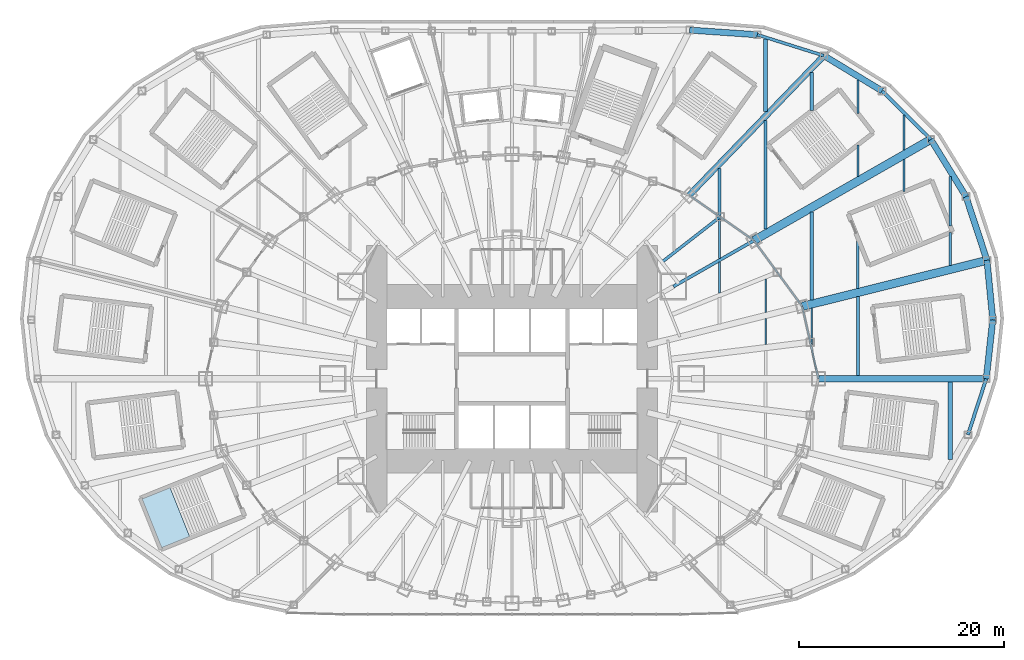
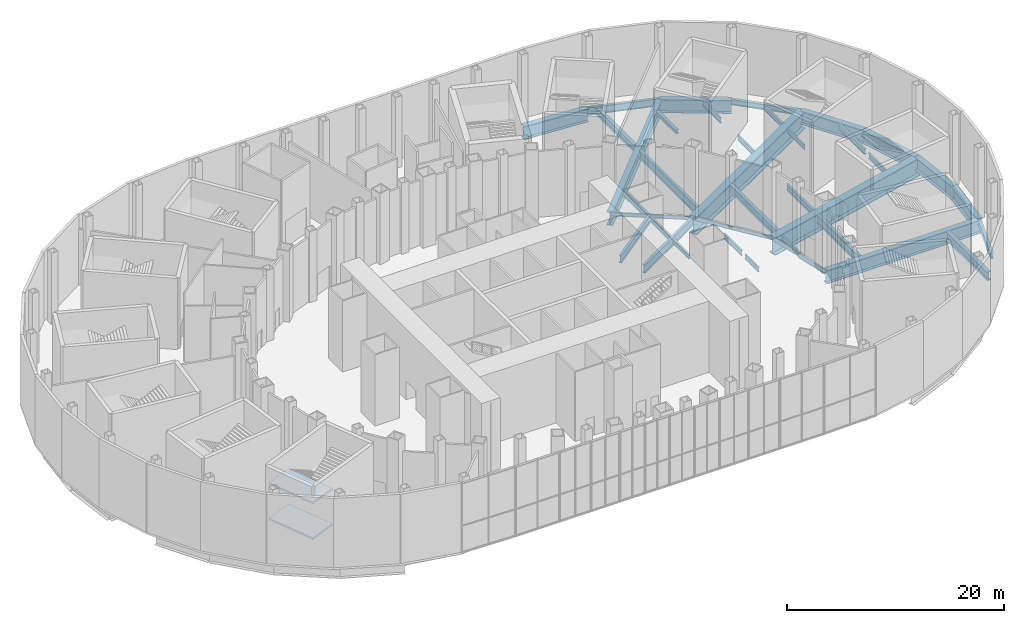
# One storey, part 10 of 74: 40 beams, 2 slabs, 1 element without a shape of its own.
"""IFC4 building model written with IfcOpenShell, lengths in metres."""

from ifc_helpers import new_model, si_unit, direction, frame, origin, origin_2d, place, context, subcontext, project, spatial, polyline, i_section, outline, extrude, material, layer, layer_set, material_profile, profile_set, type_object, element, aggregate, save


model = new_model("IFC4")

# Units and contexts
model_context = context("Model", 3, precision=1e-05, world=origin(), true_north=direction((0.0, 1.0)))
body_context = subcontext(model_context, "Body", "Model", "MODEL_VIEW")
ifc_project = project(units=[si_unit("LENGTHUNIT", "METRE"), si_unit("AREAUNIT", "SQUARE_METRE"), si_unit("VOLUMEUNIT", "CUBIC_METRE"), si_unit("PLANEANGLEUNIT", "RADIAN"), si_unit("MASSUNIT", "GRAM", prefix="KILO")], contexts=[model_context])

# Site, building, storey
site_placement = place(None, origin())
site = spatial("IfcSite", under=ifc_project, at=site_placement, CompositionType="ELEMENT")
building_placement = place(site_placement, origin())
building = spatial("IfcBuilding", under=site, at=building_placement, Name="Lantaw Convention Tower", CompositionType="ELEMENT")
storey_placement = place(building_placement, frame((0.0, 0.0, 6.5)))
storey = spatial("IfcBuildingStorey", under=building, at=storey_placement, Name="L01", CompositionType="ELEMENT", Elevation=6.5)

# Beams
ifc_material_1 = material(Name="Steel ASTM A572 Grade 50", Category="steel")
ifc_material_profile_1 = material_profile(ifc_material_1, i_section(OverallWidth=0.60009765625, OverallDepth=1.5, WebThickness=0.02490234375, FlangeThickness=0.06005859375, at=origin_2d()), Name="PG1500X600X25X60")
ifc_profile_set_1 = profile_set([ifc_material_profile_1], Name="Steel ASTM A572 Grade 50")
beam_type_1 = type_object("IfcBeamType", Name="Beam E PG1500X600X25X60", PredefinedType="SPANDREL", material=ifc_profile_set_1)
beam_1_placement = place(storey_placement, frame((46.2724609375, 0.0, -0.949951171875), z_axis=(0.109673093737, 0.993967712006, 0.0), x_axis=(-0.993967712006, 0.109673093737, 0.0)))
element("IfcBeam", 1, at=beam_1_placement, inside=storey, type_object=beam_type_1, Name="Podium edge beam R00", PredefinedType="SPANDREL", context=body_context, shape_type="SweptSolid", body=[
    extrude(i_section(OverallWidth=0.60009765625, OverallDepth=1.5, WebThickness=0.02490234375, FlangeThickness=0.06005859375, at=origin_2d()), origin(), (0.0, 0.0, 1.0), 5.79443359375),
])
beam_2_placement = place(storey_placement, frame((46.907958984375, 5.759521484375, -0.949951171875), z_axis=(-0.097112121047, 0.995273447825, 0.0), x_axis=(-0.995273447825, -0.097112121047, 0.0)))
element("IfcBeam", 2, at=beam_2_placement, inside=storey, type_object=beam_type_1, Name="Podium edge beam B00", PredefinedType="SPANDREL", context=body_context, shape_type="SweptSolid", body=[
    extrude(i_section(OverallWidth=0.60009765625, OverallDepth=1.5, WebThickness=0.02490234375, FlangeThickness=0.06005859375, at=origin_2d()), origin(), (0.0, 0.0, 1.0), 5.822509765625),
])
beam_3_placement = place(storey_placement, frame((46.342529296875, 11.554443359375, -0.949951171875), z_axis=(-0.312739573604, 0.949838912186, 0.0), x_axis=(-0.949838912186, -0.312739573604, 0.0)))
element("IfcBeam", 3, at=beam_3_placement, inside=storey, type_object=beam_type_1, Name="Podium edge beam R01", PredefinedType="SPANDREL", context=body_context, shape_type="SweptSolid", body=[
    extrude(i_section(OverallWidth=0.60009765625, OverallDepth=1.5, WebThickness=0.02490234375, FlangeThickness=0.06005859375, at=origin_2d()), origin(), (0.0, 0.0, 1.0), 6.55517578125),
])
beam_4_placement = place(storey_placement, frame((44.29248046875, 17.78076171875, -0.949951171875), z_axis=(-0.524178644867, 0.851608330317, 0.0), x_axis=(-0.851608330317, -0.524178644867, 0.0)))
element("IfcBeam", 4, at=beam_4_placement, inside=storey, type_object=beam_type_1, Name="Podium edge beam B01", PredefinedType="SPANDREL", context=body_context, shape_type="SweptSolid", body=[
    extrude(i_section(OverallWidth=0.60009765625, OverallDepth=1.5, WebThickness=0.02490234375, FlangeThickness=0.06005859375, at=origin_2d()), origin(), (0.0, 0.0, 1.0), 6.54052734375),
])
beam_5_placement = place(storey_placement, frame((36.107666015625, 28.081298828125, -0.949951171875), z_axis=(-0.855269526547, 0.518183400893, 0.0), x_axis=(-0.518183400893, -0.855269526547, 0.0)))
element("IfcBeam", 5, at=beam_5_placement, inside=storey, type_object=beam_type_1, Name="Podium edge beam B02", PredefinedType="SPANDREL", context=body_context, shape_type="SweptSolid", body=[
    extrude(i_section(OverallWidth=0.60009765625, OverallDepth=1.5, WebThickness=0.02490234375, FlangeThickness=0.06005859375, at=origin_2d()), origin(), (0.0, 0.0, 1.0), 6.63134765625),
])
beam_6_placement = place(storey_placement, frame((23.940185546875, 33.562744140625, -0.949951171875), z_axis=(-0.997615470709, 0.069017190627, 0.0), x_axis=(-0.069017190627, -0.997615470709, 0.0)))
element("IfcBeam", 6, at=beam_6_placement, inside=storey, type_object=beam_type_1, Name="Podium edge beam B03", PredefinedType="SPANDREL", context=body_context, shape_type="SweptSolid", body=[
    extrude(i_section(OverallWidth=0.60009765625, OverallDepth=1.5, WebThickness=0.02490234375, FlangeThickness=0.06005859375, at=origin_2d()), origin(), (0.0, 0.0, 1.0), 6.6220703125),
])
ifc_material_2 = material(Name="Steel ASTM A992", Category="steel")
ifc_material_profile_2 = material_profile(ifc_material_2, i_section(OverallWidth=0.140380859375, OverallDepth=0.40380859375, WebThickness=0.007080078125, FlangeThickness=0.01123046875, FilletRadius=0.01025390625, at=origin_2d()), Name="W16X31")
ifc_profile_set_2 = profile_set([ifc_material_profile_2], Name="Steel ASTM A992")
beam_type_2 = type_object("IfcBeamType", Name="Beam E W16X31", PredefinedType="SPANDREL", material=ifc_profile_set_2)
beam_7_placement = place(storey_placement, frame((29.099365234375, 3.572998046875, -0.40185546875), z_axis=(-0.218673326171, 0.97579812278, 0.0), x_axis=(-0.97579812278, -0.218673326171, 0.0)))
element("IfcBeam", 7, at=beam_7_placement, inside=storey, type_object=beam_type_2, Name="Edge beam 1", PredefinedType="SPANDREL", context=body_context, shape_type="SweptSolid", body=[
    extrude(i_section(OverallWidth=0.140380859375, OverallDepth=0.40380859375, WebThickness=0.007080078125, FlangeThickness=0.01123046875, FilletRadius=0.01025390625, at=origin_2d()), origin(), (0.0, 0.0, 1.0), 3.57373046875),
])
beam_8_placement = place(storey_placement, frame((28.31787109375, 7.060302734375, -0.40185546875), z_axis=(-0.591255937291, 0.806483984105, 0.0), x_axis=(-0.806483984105, -0.591255937291, 0.0)))
element("IfcBeam", 8, at=beam_8_placement, inside=storey, type_object=beam_type_2, Name="Edge beam 2", PredefinedType="SPANDREL", context=body_context, shape_type="SweptSolid", body=[
    extrude(i_section(OverallWidth=0.140380859375, OverallDepth=0.40380859375, WebThickness=0.007080078125, FlangeThickness=0.01123046875, FilletRadius=0.01025390625, at=origin_2d()), origin(), (0.0, 0.0, 1.0), 4.126708984375),
])
beam_9_placement = place(storey_placement, frame((25.8779296875, 10.388427734375, -0.40185546875), z_axis=(-0.591286566758, 0.806461527893, 0.0), x_axis=(-0.806461527893, -0.591286566758, 0.0)))
element("IfcBeam", 9, at=beam_9_placement, inside=storey, type_object=beam_type_2, Name="Edge beam 2", PredefinedType="SPANDREL", context=body_context, shape_type="SweptSolid", body=[
    extrude(i_section(OverallWidth=0.140380859375, OverallDepth=0.40380859375, WebThickness=0.007080078125, FlangeThickness=0.01123046875, FilletRadius=0.01025390625, at=origin_2d()), origin(), (0.0, 0.0, 1.0), 3.843994140625),
])
beam_10_placement = place(storey_placement, frame((23.60498046875, 13.488525390625, -0.40185546875), z_axis=(-0.819442856133, 0.573160889744, 0.0), x_axis=(-0.573160889744, -0.819442856133, 0.0)))
element("IfcBeam", 10, at=beam_10_placement, inside=storey, type_object=beam_type_2, Name="Edge beam 3", PredefinedType="SPANDREL", context=body_context, shape_type="SweptSolid", body=[
    extrude(i_section(OverallWidth=0.140380859375, OverallDepth=0.40380859375, WebThickness=0.007080078125, FlangeThickness=0.01123046875, FilletRadius=0.01025390625, at=origin_2d()), origin(), (0.0, 0.0, 1.0), 4.022705078125),
])
beam_11_placement = place(storey_placement, frame((20.30859375, 15.794189453125, -0.40185546875), z_axis=(-0.819409395821, 0.573208724672, 0.0), x_axis=(-0.573208724672, -0.819409395821, 0.0)))
element("IfcBeam", 11, at=beam_11_placement, inside=storey, type_object=beam_type_2, Name="Edge beam 3", PredefinedType="SPANDREL", context=body_context, shape_type="SweptSolid", body=[
    extrude(i_section(OverallWidth=0.140380859375, OverallDepth=0.40380859375, WebThickness=0.007080078125, FlangeThickness=0.01123046875, FilletRadius=0.01025390625, at=origin_2d()), origin(), (0.0, 0.0, 1.0), 3.682861328125),
])
ifc_material_profile_3 = material_profile(ifc_material_2, i_section(OverallWidth=0.165771484375, OverallDepth=0.5283203125, WebThickness=0.009765625, FlangeThickness=0.013671875, FilletRadius=0.012939453125, at=origin_2d()), Name="W21X50")
ifc_profile_set_3 = profile_set([ifc_material_profile_3], Name="Steel ASTM A992")
beam_type_3 = type_object("IfcBeamType", Name="Beam E W21X50", PredefinedType="SPANDREL", material=ifc_profile_set_3)
beam_12_placement = place(storey_placement, frame((29.89990234375, 0.0, -0.464111328125), z_axis=(-0.218631550323, 0.975807483679, 0.0), x_axis=(-0.975807483679, -0.218631550323, 0.0)))
element("IfcBeam", 12, at=beam_12_placement, inside=storey, type_object=beam_type_3, Name="Edge beam 1", PredefinedType="SPANDREL", context=body_context, shape_type="SweptSolid", body=[
    extrude(i_section(OverallWidth=0.165771484375, OverallDepth=0.5283203125, WebThickness=0.009765625, FlangeThickness=0.013671875, FilletRadius=0.012939453125, at=origin_2d()), origin(), (0.0, 0.0, 1.0), 3.66162109375),
])
ifc_material_profile_4 = material_profile(ifc_material_2, i_section(OverallWidth=0.3251953125, OverallDepth=0.612060546875, WebThickness=0.0126953125, FlangeThickness=0.01904296875, FilletRadius=0.0126953125, at=origin_2d()), Name="W24X104")
ifc_profile_set_4 = profile_set([ifc_material_profile_4], Name="Steel ASTM A992")
beam_type_4 = type_object("IfcBeamType", Name="Beam E W24X104", PredefinedType="SPANDREL", material=ifc_profile_set_4)
beam_13_placement = place(storey_placement, frame((40.864013671875, 23.350830078125, -0.506103515625), z_axis=(-0.709033046271, 0.705175254314, 0.0), x_axis=(-0.705175254314, -0.709033046271, 0.0)))
element("IfcBeam", 13, at=beam_13_placement, inside=storey, type_object=beam_type_4, Name="Podium edge beam R02", PredefinedType="SPANDREL", context=body_context, shape_type="SweptSolid", body=[
    extrude(i_section(OverallWidth=0.3251953125, OverallDepth=0.612060546875, WebThickness=0.0126953125, FlangeThickness=0.01904296875, FilletRadius=0.0126953125, at=origin_2d()), origin(), (0.0, 0.0, 1.0), 6.708251953125),
])
beam_14_placement = place(storey_placement, frame((44.488525390625, -5.46240234375, -0.506103515625), z_axis=(0.310448009473, 0.950590360468, 0.0), x_axis=(-0.950590360468, 0.310448009473, 0.0)))
element("IfcBeam", 14, at=beam_14_placement, inside=storey, type_object=beam_type_4, Name="Podium edge beam B23", PredefinedType="SPANDREL", context=body_context, shape_type="SweptSolid", body=[
    extrude(i_section(OverallWidth=0.3251953125, OverallDepth=0.612060546875, WebThickness=0.0126953125, FlangeThickness=0.01904296875, FilletRadius=0.0126953125, at=origin_2d()), origin(), (0.0, 0.0, 1.0), 5.746337890625),
])
ifc_material_profile_5 = material_profile(ifc_material_2, i_section(OverallWidth=0.2919921875, OverallDepth=0.845703125, WebThickness=0.015380859375, FlangeThickness=0.0244140625, FilletRadius=0.01513671875, at=origin_2d()), Name="W33X141")
ifc_profile_set_5 = profile_set([ifc_material_profile_5], Name="Steel ASTM A992")
beam_type_5 = type_object("IfcBeamType", Name="Beam E W33X141", PredefinedType="SPANDREL", material=ifc_profile_set_5)
beam_15_placement = place(storey_placement, frame((30.43603515625, 31.517578125, -0.622802734375), z_axis=(-0.953841834513, 0.300309431643, 0.0), x_axis=(-0.300309431643, -0.953841834513, 0.0)))
element("IfcBeam", 15, at=beam_15_placement, inside=storey, type_object=beam_type_5, Name="Podium edge beam R03", PredefinedType="SPANDREL", context=body_context, shape_type="SweptSolid", body=[
    extrude(i_section(OverallWidth=0.2919921875, OverallDepth=0.845703125, WebThickness=0.015380859375, FlangeThickness=0.0244140625, FilletRadius=0.01513671875, at=origin_2d()), origin(), (0.0, 0.0, 1.0), 6.810302734375),
])
ifc_material_profile_6 = material_profile(ifc_material_2, i_section(OverallWidth=0.2919921875, OverallDepth=0.845703125, WebThickness=0.015380859375, FlangeThickness=0.0244140625, FilletRadius=0.01513671875, at=origin_2d()), Name="W33X141")
ifc_profile_set_6 = profile_set([ifc_material_profile_6], Name="Steel ASTM A992")
beam_type_6 = type_object("IfcBeamType", Name="Beam G W33X141", PredefinedType="BEAM", material=ifc_profile_set_6)
beam_16_placement = place(storey_placement, frame((14.628173828125, 11.37646484375, -0.622802734375), z_axis=(0.789377792374, 0.613907729961, 0.0), x_axis=(-0.613907729961, 0.789377792374, 0.0)))
element("IfcBeam", 16, at=beam_16_placement, inside=storey, type_object=beam_type_6, Name="Floor girder on bisector 3", PredefinedType="BEAM", context=body_context, shape_type="SweptSolid", body=[
    extrude(i_section(OverallWidth=0.2919921875, OverallDepth=0.845703125, WebThickness=0.015380859375, FlangeThickness=0.0244140625, FilletRadius=0.01513671875, at=origin_2d()), origin(), (0.0, 0.0, 1.0), 7.196044921875),
])
ifc_material_profile_7 = material_profile(ifc_material_2, i_section(OverallWidth=0.307373046875, OverallDepth=0.922119140625, WebThickness=0.018310546875, FlangeThickness=0.030029296875, FilletRadius=0.0126953125, at=origin_2d()), Name="W36X182")
ifc_profile_set_7 = profile_set([ifc_material_profile_7], Name="Steel ASTM A992")
beam_type_7 = type_object("IfcBeamType", Name="Beam G W36X182", PredefinedType="BEAM", material=ifc_profile_set_7)
beam_17_placement = place(storey_placement, frame((15.75, 9.0, -0.660888671875), z_axis=(0.868244802791, 0.496136032179, 0.0), x_axis=(-0.496136032179, 0.868244802791, 0.0)))
element("IfcBeam", 17, at=beam_17_placement, inside=storey, type_object=beam_type_7, Name="Floor girder on ray 3", PredefinedType="BEAM", context=body_context, shape_type="SweptSolid", body=[
    extrude(i_section(OverallWidth=0.307373046875, OverallDepth=0.922119140625, WebThickness=0.018310546875, FlangeThickness=0.030029296875, FilletRadius=0.0126953125, at=origin_2d()), origin(), (0.0, 0.0, 1.0), 9.046875),
])
ifc_material_profile_8 = material_profile(ifc_material_2, i_section(OverallWidth=0.370849609375, OverallDepth=0.36328125, WebThickness=0.013427734375, FlangeThickness=0.021728515625, FilletRadius=0.01513671875, at=origin_2d()), Name="W14X109")
ifc_profile_set_8 = profile_set([ifc_material_profile_8], Name="Steel ASTM A992")
beam_type_8 = type_object("IfcBeamType", Name="Beam J W14X109", PredefinedType="JOIST", material=ifc_profile_set_8)
beam_18_placement = place(storey_placement, frame((29.25, 26.16845703125, -0.381591796875), z_axis=(0.0, 1.0, 0.0), x_axis=(-1.0, 0.0, 0.0)))
element("IfcBeam", 18, at=beam_18_placement, inside=storey, type_object=beam_type_8, Name="Floor joist", PredefinedType="JOIST", context=body_context, shape_type="SweptSolid", body=[
    extrude(i_section(OverallWidth=0.370849609375, OverallDepth=0.36328125, WebThickness=0.013427734375, FlangeThickness=0.021728515625, FilletRadius=0.01513671875, at=origin_2d()), origin(), (0.0, 0.0, 1.0), 3.68896484375),
])
ifc_material_profile_9 = material_profile(ifc_material_2, i_section(OverallWidth=0.1650390625, OverallDepth=0.52587890625, WebThickness=0.0087890625, FlangeThickness=0.011474609375, FilletRadius=0.0126953125, at=origin_2d()), Name="W21X44")
ifc_profile_set_9 = profile_set([ifc_material_profile_9], Name="Steel ASTM A992")
beam_type_9 = type_object("IfcBeamType", Name="Beam J W21X44", PredefinedType="JOIST", material=ifc_profile_set_9)
beam_19_placement = place(storey_placement, frame((24.75, 3.341064453125, -0.462890625), z_axis=(0.0, 1.0, 0.0), x_axis=(-1.0, 0.0, 0.0)))
element("IfcBeam", 19, at=beam_19_placement, inside=storey, type_object=beam_type_9, Name="Floor joist", PredefinedType="JOIST", context=body_context, shape_type="SweptSolid", body=[
    extrude(i_section(OverallWidth=0.1650390625, OverallDepth=0.52587890625, WebThickness=0.0087890625, FlangeThickness=0.011474609375, FilletRadius=0.0126953125, at=origin_2d()), origin(), (0.0, 0.0, 1.0), 2.5205078125),
])
beam_20_placement = place(storey_placement, frame((38.25, 18.264404296875, -0.462890625), z_axis=(0.0, 1.0, 0.0), x_axis=(-1.0, 0.0, 0.0)))
element("IfcBeam", 20, at=beam_20_placement, inside=storey, type_object=beam_type_9, Name="Floor joist", PredefinedType="JOIST", context=body_context, shape_type="SweptSolid", body=[
    extrude(i_section(OverallWidth=0.1650390625, OverallDepth=0.52587890625, WebThickness=0.0087890625, FlangeThickness=0.011474609375, FilletRadius=0.0126953125, at=origin_2d()), origin(), (0.0, 0.0, 1.0), 3.132080078125),
])
ifc_material_profile_10 = material_profile(ifc_material_2, i_section(OverallWidth=0.209228515625, OverallDepth=0.533447265625, WebThickness=0.01025390625, FlangeThickness=0.015625, FilletRadius=0.012939453125, at=origin_2d()), Name="W21X62")
ifc_profile_set_10 = profile_set([ifc_material_profile_10], Name="Steel ASTM A992")
beam_type_10 = type_object("IfcBeamType", Name="Beam J W21X62", PredefinedType="JOIST", material=ifc_profile_set_10)
beam_21_placement = place(storey_placement, frame((38.25, 22.31787109375, -0.466796875), z_axis=(0.0, 1.0, 0.0), x_axis=(-1.0, 0.0, 0.0)))
element("IfcBeam", 21, at=beam_21_placement, inside=storey, type_object=beam_type_10, Name="Floor joist", PredefinedType="JOIST", context=body_context, shape_type="SweptSolid", body=[
    extrude(i_section(OverallWidth=0.209228515625, OverallDepth=0.533447265625, WebThickness=0.01025390625, FlangeThickness=0.015625, FilletRadius=0.012939453125, at=origin_2d()), origin(), (0.0, 0.0, 1.0), 3.403564453125),
])
ifc_material_profile_11 = material_profile(ifc_material_2, i_section(OverallWidth=0.2099609375, OverallDepth=0.535888671875, WebThickness=0.010986328125, FlangeThickness=0.017333984375, FilletRadius=0.012939453125, at=origin_2d()), Name="W21X68")
ifc_profile_set_11 = profile_set([ifc_material_profile_11], Name="Steel ASTM A992")
beam_type_11 = type_object("IfcBeamType", Name="Beam J W21X68", PredefinedType="JOIST", material=ifc_profile_set_11)
beam_22_placement = place(storey_placement, frame((20.25, 8.3466796875, -0.468017578125), z_axis=(0.0, 1.0, 0.0), x_axis=(-1.0, 0.0, 0.0)))
element("IfcBeam", 22, at=beam_22_placement, inside=storey, type_object=beam_type_11, Name="Floor joist", PredefinedType="JOIST", context=body_context, shape_type="SweptSolid", body=[
    extrude(i_section(OverallWidth=0.2099609375, OverallDepth=0.535888671875, WebThickness=0.010986328125, FlangeThickness=0.017333984375, FilletRadius=0.012939453125, at=origin_2d()), origin(), (0.0, 0.0, 1.0), 3.0478515625),
])
ifc_material_profile_12 = material_profile(ifc_material_2, i_section(OverallWidth=0.177978515625, OverallDepth=0.599365234375, WebThickness=0.010009765625, FlangeThickness=0.012939453125, FilletRadius=0.012939453125, at=origin_2d()), Name="W24X55")
ifc_profile_set_12 = profile_set([ifc_material_profile_12], Name="Steel ASTM A992")
beam_type_12 = type_object("IfcBeamType", Name="Beam J W24X55", PredefinedType="JOIST", material=ifc_profile_set_12)
beam_23_placement = place(storey_placement, frame((24.75, 6.47998046875, -0.499755859375), z_axis=(0.0, 1.0, 0.0), x_axis=(-1.0, 0.0, 0.0)))
element("IfcBeam", 23, at=beam_23_placement, inside=storey, type_object=beam_type_12, Name="Floor joist", PredefinedType="JOIST", context=body_context, shape_type="SweptSolid", body=[
    extrude(i_section(OverallWidth=0.177978515625, OverallDepth=0.599365234375, WebThickness=0.010009765625, FlangeThickness=0.012939453125, FilletRadius=0.012939453125, at=origin_2d()), origin(), (0.0, 0.0, 1.0), 3.238037109375),
])
beam_24_placement = place(storey_placement, frame((29.25, 3.27978515625, -0.499755859375), z_axis=(0.0, 1.0, 0.0), x_axis=(-1.0, 0.0, 0.0)))
element("IfcBeam", 24, at=beam_24_placement, inside=storey, type_object=beam_type_12, Name="Floor joist", PredefinedType="JOIST", context=body_context, shape_type="SweptSolid", body=[
    extrude(i_section(OverallWidth=0.177978515625, OverallDepth=0.599365234375, WebThickness=0.010009765625, FlangeThickness=0.012939453125, FilletRadius=0.012939453125, at=origin_2d()), origin(), (0.0, 0.0, 1.0), 3.600830078125),
])
beam_25_placement = place(storey_placement, frame((33.75, 19.746337890625, -0.499755859375), z_axis=(0.0, 1.0, 0.0), x_axis=(-1.0, 0.0, 0.0)))
element("IfcBeam", 25, at=beam_25_placement, inside=storey, type_object=beam_type_12, Name="Floor joist", PredefinedType="JOIST", context=body_context, shape_type="SweptSolid", body=[
    extrude(i_section(OverallWidth=0.177978515625, OverallDepth=0.599365234375, WebThickness=0.010009765625, FlangeThickness=0.012939453125, FilletRadius=0.012939453125, at=origin_2d()), origin(), (0.0, 0.0, 1.0), 3.080810546875),
])
beam_26_placement = place(storey_placement, frame((33.75, 25.900390625, -0.499755859375), z_axis=(0.0, 1.0, 0.0), x_axis=(-1.0, 0.0, 0.0)))
element("IfcBeam", 26, at=beam_26_placement, inside=storey, type_object=beam_type_12, Name="Floor joist", PredefinedType="JOIST", context=body_context, shape_type="SweptSolid", body=[
    extrude(i_section(OverallWidth=0.177978515625, OverallDepth=0.599365234375, WebThickness=0.010009765625, FlangeThickness=0.012939453125, FilletRadius=0.012939453125, at=origin_2d()), origin(), (0.0, 0.0, 1.0), 3.258544921875),
])
ifc_material_profile_13 = material_profile(ifc_material_2, i_section(OverallWidth=0.227783203125, OverallDepth=0.60205078125, WebThickness=0.010498046875, FlangeThickness=0.014892578125, FilletRadius=0.012939453125, at=origin_2d()), Name="W24X68")
ifc_profile_set_13 = profile_set([ifc_material_profile_13], Name="Steel ASTM A992")
beam_type_13 = type_object("IfcBeamType", Name="Beam J W24X68", PredefinedType="JOIST", material=ifc_profile_set_13)
beam_27_placement = place(storey_placement, frame((42.75, 11.071044921875, -0.5009765625), z_axis=(0.0, 1.0, 0.0), x_axis=(-1.0, 0.0, 0.0)))
element("IfcBeam", 27, at=beam_27_placement, inside=storey, type_object=beam_type_13, Name="Floor joist", PredefinedType="JOIST", context=body_context, shape_type="SweptSolid", body=[
    extrude(i_section(OverallWidth=0.227783203125, OverallDepth=0.60205078125, WebThickness=0.010498046875, FlangeThickness=0.014892578125, FilletRadius=0.012939453125, at=origin_2d()), origin(), (0.0, 0.0, 1.0), 3.18115234375),
])
ifc_material_profile_14 = material_profile(ifc_material_2, i_section(OverallWidth=0.22900390625, OverallDepth=0.612060546875, WebThickness=0.011962890625, FlangeThickness=0.01953125, FilletRadius=0.0126953125, at=origin_2d()), Name="W24X84")
ifc_profile_set_14 = profile_set([ifc_material_profile_14], Name="Steel ASTM A992")
beam_type_14 = type_object("IfcBeamType", Name="Beam J W24X84", PredefinedType="JOIST", material=ifc_profile_set_14)
beam_28_placement = place(storey_placement, frame((20.25, 11.74853515625, -0.506103515625), z_axis=(0.0, 1.0, 0.0), x_axis=(-1.0, 0.0, 0.0)))
element("IfcBeam", 28, at=beam_28_placement, inside=storey, type_object=beam_type_14, Name="Floor joist", PredefinedType="JOIST", context=body_context, shape_type="SweptSolid", body=[
    extrude(i_section(OverallWidth=0.22900390625, OverallDepth=0.612060546875, WebThickness=0.011962890625, FlangeThickness=0.01953125, FilletRadius=0.0126953125, at=origin_2d()), origin(), (0.0, 0.0, 1.0), 3.81494140625),
])
beam_29_placement = place(storey_placement, frame((42.75, 14.91259765625, -0.506103515625), z_axis=(0.0, 1.0, 0.0), x_axis=(-1.0, 0.0, 0.0)))
element("IfcBeam", 29, at=beam_29_placement, inside=storey, type_object=beam_type_14, Name="Floor joist", PredefinedType="JOIST", context=body_context, shape_type="SweptSolid", body=[
    extrude(i_section(OverallWidth=0.22900390625, OverallDepth=0.612060546875, WebThickness=0.011962890625, FlangeThickness=0.01953125, FilletRadius=0.0126953125, at=origin_2d()), origin(), (0.0, 0.0, 1.0), 4.8017578125),
])
ifc_material_profile_15 = material_profile(ifc_material_2, i_section(OverallWidth=0.256591796875, OverallDepth=0.693359375, WebThickness=0.014404296875, FlangeThickness=0.023681640625, FilletRadius=0.01513671875, at=origin_2d()), Name="W27X114")
ifc_profile_set_15 = profile_set([ifc_material_profile_15], Name="Steel ASTM A992")
beam_type_15 = type_object("IfcBeamType", Name="Beam J W27X114", PredefinedType="JOIST", material=ifc_profile_set_15)
beam_30_placement = place(storey_placement, frame((20.25, 15.9208984375, -0.546630859375), z_axis=(0.0, 1.0, 0.0), x_axis=(-1.0, 0.0, 0.0)))
element("IfcBeam", 30, at=beam_30_placement, inside=storey, type_object=beam_type_15, Name="Floor joist", PredefinedType="JOIST", context=body_context, shape_type="SweptSolid", body=[
    extrude(i_section(OverallWidth=0.256591796875, OverallDepth=0.693359375, WebThickness=0.014404296875, FlangeThickness=0.023681640625, FilletRadius=0.01513671875, at=origin_2d()), origin(), (0.0, 0.0, 1.0), 4.61669921875),
])
ifc_material_profile_16 = material_profile(ifc_material_2, i_section(OverallWidth=0.25390625, OverallDepth=0.683349609375, WebThickness=0.012451171875, FlangeThickness=0.01904296875, FilletRadius=0.01513671875, at=origin_2d()), Name="W27X94")
ifc_profile_set_16 = profile_set([ifc_material_profile_16], Name="Steel ASTM A992")
beam_type_16 = type_object("IfcBeamType", Name="Beam J W27X94", PredefinedType="JOIST", material=ifc_profile_set_16)
beam_31_placement = place(storey_placement, frame((33.75, 8.8271484375, -0.541748046875), z_axis=(0.0, 1.0, 0.0), x_axis=(-1.0, 0.0, 0.0)))
element("IfcBeam", 31, at=beam_31_placement, inside=storey, type_object=beam_type_16, Name="Floor joist", PredefinedType="JOIST", context=body_context, shape_type="SweptSolid", body=[
    extrude(i_section(OverallWidth=0.25390625, OverallDepth=0.683349609375, WebThickness=0.012451171875, FlangeThickness=0.01904296875, FilletRadius=0.01513671875, at=origin_2d()), origin(), (0.0, 0.0, 1.0), 4.88330078125),
])
ifc_material_profile_17 = material_profile(ifc_material_2, i_section(OverallWidth=0.381103515625, OverallDepth=0.772216796875, WebThickness=0.0166015625, FlangeThickness=0.027099609375, FilletRadius=0.0146484375, at=origin_2d()), Name="W30X173")
ifc_profile_set_17 = profile_set([ifc_material_profile_17], Name="Steel ASTM A992")
beam_type_17 = type_object("IfcBeamType", Name="Beam J W30X173", PredefinedType="JOIST", material=ifc_profile_set_17)
beam_32_placement = place(storey_placement, frame((24.75, 26.061279296875, -0.586181640625), z_axis=(0.0, 1.0, 0.0), x_axis=(-1.0, 0.0, 0.0)))
element("IfcBeam", 32, at=beam_32_placement, inside=storey, type_object=beam_type_17, Name="Floor joist", PredefinedType="JOIST", context=body_context, shape_type="SweptSolid", body=[
    extrude(i_section(OverallWidth=0.381103515625, OverallDepth=0.772216796875, WebThickness=0.0166015625, FlangeThickness=0.027099609375, FilletRadius=0.0146484375, at=origin_2d()), origin(), (0.0, 0.0, 1.0), 7.093505859375),
])
beam_33_placement = place(storey_placement, frame((29.25, 7.705078125, -0.586181640625), z_axis=(0.0, 1.0, 0.0), x_axis=(-1.0, 0.0, 0.0)))
element("IfcBeam", 33, at=beam_33_placement, inside=storey, type_object=beam_type_17, Name="Floor joist", PredefinedType="JOIST", context=body_context, shape_type="SweptSolid", body=[
    extrude(i_section(OverallWidth=0.381103515625, OverallDepth=0.772216796875, WebThickness=0.0166015625, FlangeThickness=0.027099609375, FilletRadius=0.0146484375, at=origin_2d()), origin(), (0.0, 0.0, 1.0), 8.548583984375),
])
ifc_material_profile_18 = material_profile(ifc_material_2, i_section(OverallWidth=0.307373046875, OverallDepth=0.9423828125, WebThickness=0.022216796875, FlangeThickness=0.039794921875, FilletRadius=0.0126953125, at=origin_2d()), Name="W36X232")
ifc_profile_set_18 = profile_set([ifc_material_profile_18], Name="Steel ASTM A992")
beam_type_18 = type_object("IfcBeamType", Name="Beam J W36X232", PredefinedType="JOIST", material=ifc_profile_set_18)
beam_34_placement = place(storey_placement, frame((24.75, 14.603515625, -0.671142578125), z_axis=(0.0, 1.0, 0.0), x_axis=(-1.0, 0.0, 0.0)))
element("IfcBeam", 34, at=beam_34_placement, inside=storey, type_object=beam_type_18, Name="Floor joist", PredefinedType="JOIST", context=body_context, shape_type="SweptSolid", body=[
    extrude(i_section(OverallWidth=0.307373046875, OverallDepth=0.9423828125, WebThickness=0.022216796875, FlangeThickness=0.039794921875, FilletRadius=0.0126953125, at=origin_2d()), origin(), (0.0, 0.0, 1.0), 10.593994140625),
])
beam_35_placement = place(storey_placement, frame((33.75, 0.300048828125, -0.671142578125), z_axis=(0.0, 1.0, 0.0), x_axis=(-1.0, 0.0, 0.0)))
element("IfcBeam", 35, at=beam_35_placement, inside=storey, type_object=beam_type_18, Name="Floor joist", PredefinedType="JOIST", context=body_context, shape_type="SweptSolid", body=[
    extrude(i_section(OverallWidth=0.307373046875, OverallDepth=0.9423828125, WebThickness=0.022216796875, FlangeThickness=0.039794921875, FilletRadius=0.0126953125, at=origin_2d()), origin(), (0.0, 0.0, 1.0), 7.70263671875),
])
ifc_material_profile_19 = material_profile(ifc_material_2, i_section(OverallWidth=0.421630859375, OverallDepth=0.937255859375, WebThickness=0.0224609375, FlangeThickness=0.039794921875, FilletRadius=0.02001953125, at=origin_2d()), Name="W36X282")
ifc_profile_set_19 = profile_set([ifc_material_profile_19], Name="Steel ASTM A992")
beam_type_19 = type_object("IfcBeamType", Name="Beam J W36X282", PredefinedType="JOIST", material=ifc_profile_set_19)
beam_36_placement = place(storey_placement, frame((42.75, -7.89990234375, -0.668701171875), z_axis=(0.0, 1.0, 0.0), x_axis=(-1.0, 0.0, 0.0)))
element("IfcBeam", 36, at=beam_36_placement, inside=storey, type_object=beam_type_19, Name="Floor joist", PredefinedType="JOIST", context=body_context, shape_type="SweptSolid", body=[
    extrude(i_section(OverallWidth=0.421630859375, OverallDepth=0.937255859375, WebThickness=0.0224609375, FlangeThickness=0.039794921875, FilletRadius=0.02001953125, at=origin_2d()), origin(), (0.0, 0.0, 1.0), 7.599853515625),
])
ifc_material_profile_20 = material_profile(ifc_material_1, i_section(OverallWidth=0.60009765625, OverallDepth=1.5, WebThickness=0.02490234375, FlangeThickness=0.06005859375, at=origin_2d()), Name="PG1500X600X25X60")
ifc_profile_set_20 = profile_set([ifc_material_profile_20], Name="Steel ASTM A572 Grade 50")
beam_type_20 = type_object("IfcBeamType", Name="Beam PG PG1500X600X25X60", PredefinedType="BEAM", material=ifc_profile_set_20)
beam_37_placement = place(storey_placement, frame((29.89990234375, 0.0, -0.949951171875), z_axis=(1.0, 0.0, 0.0), x_axis=(0.0, 1.0, 0.0)))
element("IfcBeam", 37, at=beam_37_placement, inside=storey, type_object=beam_type_20, Name="Podium girder PR01", PredefinedType="BEAM", context=body_context, shape_type="SweptSolid", body=[
    extrude(i_section(OverallWidth=0.60009765625, OverallDepth=1.5, WebThickness=0.02490234375, FlangeThickness=0.06005859375, at=origin_2d()), origin(), (0.0, 0.0, 1.0), 16.37255859375),
])
beam_38_placement = place(storey_placement, frame((17.290771484375, 17.9052734375, -0.949951171875), z_axis=(0.694658748795, 0.719339434984, 0.0), x_axis=(-0.719339434984, 0.694658748795, 0.0)))
element("IfcBeam", 38, at=beam_38_placement, inside=storey, type_object=beam_type_20, Name="Podium girder PR04", PredefinedType="BEAM", context=body_context, shape_type="SweptSolid", body=[
    extrude(i_section(OverallWidth=0.60009765625, OverallDepth=1.5, WebThickness=0.02490234375, FlangeThickness=0.06005859375, at=origin_2d()), origin(), (0.0, 0.0, 1.0), 18.92333984375),
])
ifc_material_profile_21 = material_profile(ifc_material_1, i_section(OverallWidth=0.800048828125, OverallDepth=2.0, WebThickness=0.030029296875, FlangeThickness=0.080078125, at=origin_2d()), Name="PG2000X800X30X80")
ifc_profile_set_21 = profile_set([ifc_material_profile_21], Name="Steel ASTM A572 Grade 50")
beam_type_21 = type_object("IfcBeamType", Name="Beam PG PG2000X800X30X80", PredefinedType="BEAM", material=ifc_profile_set_21)
beam_39_placement = place(storey_placement, frame((28.31787109375, 7.060302734375, -1.199951171875), z_axis=(0.970294606785, 0.24192638559, 0.0), x_axis=(-0.24192638559, 0.970294606785, 0.0)))
element("IfcBeam", 39, at=beam_39_placement, inside=storey, type_object=beam_type_21, Name="Podium girder PR02", PredefinedType="BEAM", context=body_context, shape_type="SweptSolid", body=[
    extrude(i_section(OverallWidth=0.800048828125, OverallDepth=2.0, WebThickness=0.030029296875, FlangeThickness=0.080078125, at=origin_2d()), origin(), (0.0, 0.0, 1.0), 18.576416015625),
])
beam_40_placement = place(storey_placement, frame((23.60498046875, 13.488525390625, -1.199951171875), z_axis=(0.868243142124, 0.496138938357, 0.0), x_axis=(-0.496138938357, 0.868243142124, 0.0)))
element("IfcBeam", 40, at=beam_40_placement, inside=storey, type_object=beam_type_21, Name="Podium girder PR03", PredefinedType="BEAM", context=body_context, shape_type="SweptSolid", body=[
    extrude(i_section(OverallWidth=0.800048828125, OverallDepth=2.0, WebThickness=0.030029296875, FlangeThickness=0.080078125, at=origin_2d()), origin(), (0.0, 0.0, 1.0), 19.878173828125),
])

# Stair, slabs
ifc_material_3 = material(Name="Concrete C35/45", Category="concrete")
stair_type = type_object("IfcStairType", Name="Exit stair 2400 riser 166.67 in 4 flights", PredefinedType="HALF_TURN_STAIR", material=ifc_material_3)
stair_placement = place(storey_placement, origin())
stair = element("IfcStair", 41, at=stair_placement, inside=storey, type_object=stair_type, Name="Podium exit stair P11 L01", PredefinedType="HALF_TURN_STAIR")
ifc_layer = layer(ifc_material_3, 0.199951171875)
ifc_layer_set = layer_set([ifc_layer], Name="Stair landing 200")
slab_type = type_object("IfcSlabType", Name="Stair landing 200", PredefinedType="LANDING", material=ifc_layer_set)
slab_1_placement = place(storey_placement, frame((0.0, 0.0, 1.800048828125)))
slab_1 = element("IfcSlab", 42, at=slab_1_placement, type_object=slab_type, Name="P11 landing 2", PredefinedType="LANDING", context=body_context, shape_type="SweptSolid", body=[
    extrude(outline(polyline([(-33.36962890625, -10.61572265625), (-36.109130859375, -11.715576171875), (-34.186767578125, -16.504150390625), (-31.447265625, -15.404296875), (-33.36962890625, -10.61572265625)])), origin(), (0.0, 0.0, 1.0), 0.199951171875),
])
slab_2_placement = place(storey_placement, frame((0.0, 0.0, 5.800048828125)))
slab_2 = element("IfcSlab", 43, at=slab_2_placement, type_object=slab_type, Name="P11 landing 4", PredefinedType="LANDING", context=body_context, shape_type="SweptSolid", body=[
    extrude(outline(polyline([(-33.36962890625, -10.61572265625), (-36.109130859375, -11.715576171875), (-34.186767578125, -16.504150390625), (-31.447265625, -15.404296875), (-33.36962890625, -10.61572265625)])), origin(), (0.0, 0.0, 1.0), 0.199951171875),
])
aggregate(stair, [slab_1, slab_2])

save(model, "model.ifc")
